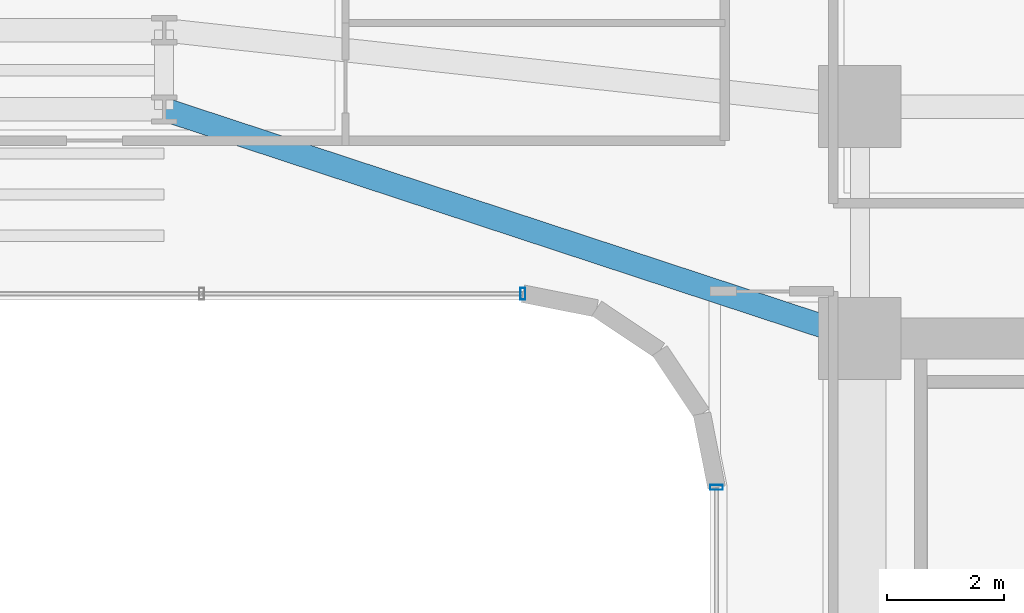
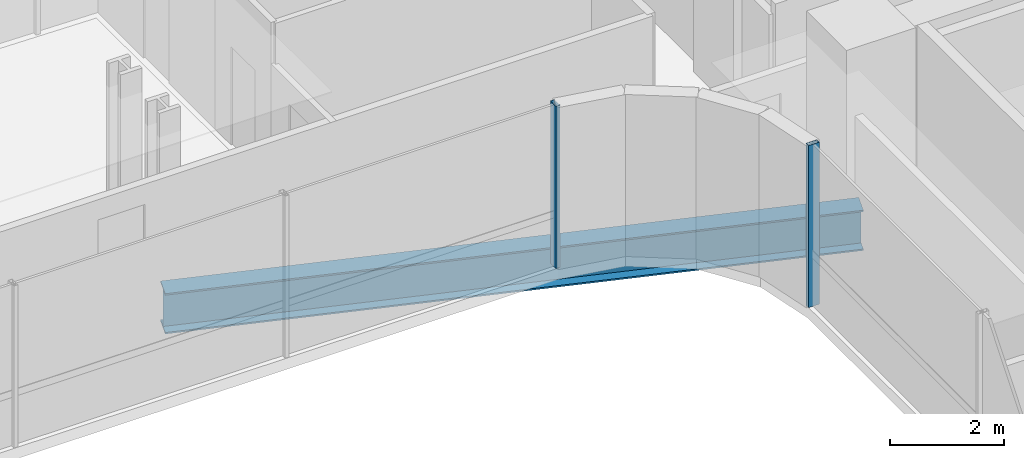
# One storey, part 15 of 40: 2 members, 1 beam, 2 elements without a shape of their own.
"""IFC4 building model written with IfcOpenShell, lengths in metres."""

from ifc_helpers import new_model, si_unit, direction, frame, origin, origin_2d, place, context, subcontext, project, spatial, hollow_rectangle, i_section, extrude, source, transform, mapped, material, material_profile, profile_set, type_object, element, aggregate, save


model = new_model("IFC4")

# Units and contexts
model_context = context("Model", 3, precision=1e-05, world=origin(), true_north=direction((0.0, 1.0)))
body_context = subcontext(model_context, "Body", "Model", "MODEL_VIEW")
ifc_project = project(units=[si_unit("LENGTHUNIT", "METRE"), si_unit("AREAUNIT", "SQUARE_METRE"), si_unit("VOLUMEUNIT", "CUBIC_METRE"), si_unit("PLANEANGLEUNIT", "RADIAN"), si_unit("MASSUNIT", "GRAM", prefix="KILO")], contexts=[model_context])

# Site, building, storey
site_placement = place(None, origin())
site = spatial("IfcSite", under=ifc_project, at=site_placement, CompositionType="ELEMENT")
building_placement = place(site_placement, origin())
building = spatial("IfcBuilding", under=site, at=building_placement, Name="Valdorenza Pilgrim Sanctuary Tower", CompositionType="ELEMENT")
storey_placement = place(building_placement, frame((0.0, 0.0, 44.5)))
storey = spatial("IfcBuildingStorey", under=building, at=storey_placement, Name="L10", CompositionType="ELEMENT", Elevation=44.5)

# Beam
ifc_material_1 = material(Name="Steel ASTM A992 Grade 50", Category="steel")
ifc_material_profile_1 = material_profile(ifc_material_1, i_section(OverallWidth=0.39990234375, OverallDepth=0.862060546875, WebThickness=0.019775390625, FlangeThickness=0.032470703125, at=origin_2d()), Name="W33X221")
ifc_profile_set_1 = profile_set([ifc_material_profile_1], Name="Steel ASTM A992 Grade 50")
beam_type = type_object("IfcBeamType", Name="STR-BM-GRD-W33", PredefinedType="BEAM", material=ifc_profile_set_1)
shared_shape_1 = source(origin(), body_context, "Body", "SweptSolid", [
    extrude(i_section(OverallWidth=0.39990234375, OverallDepth=0.862060546875, WebThickness=0.019775390625, FlangeThickness=0.032470703125, at=origin_2d()), origin(), (0.0, 0.0, 1.0), 12.475341796875),
])
beam_placement = place(storey_placement, frame((4.0, 13.449951171875, -0.6708984375), z_axis=(0.949881908141, -0.312608957943, 0.0), x_axis=(0.312608957943, 0.949881908141, 0.0)))
element("IfcBeam", 1, at=beam_placement, inside=storey, type_object=beam_type, Name="L10 Floor Girder KNK-G3", PredefinedType="BEAM", context=body_context, shape_type="MappedRepresentation", body=[
    mapped(shared_shape_1, transform((0.0, 0.0, 0.0), x_axis=(1.0, 0.0, 0.0), y_axis=(0.0, 1.0, 0.0), z_axis=(0.0, 0.0, 1.0), scale=1.0)),
])

# Curtain wall, member
ifc_material_2 = material(Name="Curtain-wall IGU glazing", Category="glass")
curtain_wall_type_1 = type_object("IfcCurtainWallType", Name="CW-SYS-02", PredefinedType="NOTDEFINED", material=ifc_material_2)
curtain_wall_1_placement = place(storey_placement, origin())
curtain_wall_1 = element("IfcCurtainWall", 2, at=curtain_wall_1_placement, inside=storey, type_object=curtain_wall_type_1, Name="L10 Curtain Wall CW-L10-1-36", PredefinedType="NOTDEFINED")
ifc_material_3 = material(Name="Anodised aluminium AW-6060", Category="aluminium")
ifc_material_profile_2 = material_profile(ifc_material_3, hollow_rectangle(XDim=0.0849609375, YDim=0.199951171875, WallThickness=0.0048828125, at=origin_2d()), Name="ALU-M 200x85x5")
ifc_profile_set_2 = profile_set([ifc_material_profile_2], Name="Anodised aluminium AW-6060")
member_type_1 = type_object("IfcMemberType", Name="CW-MUL-02", PredefinedType="MULLION", material=ifc_profile_set_2)
shared_shape_2 = source(origin(), body_context, "Body", "SweptSolid", [
    extrude(hollow_rectangle(XDim=0.0849609375, YDim=0.199951171875, WallThickness=0.0048828125, at=origin_2d()), origin(), (0.0, 0.0, 1.0), 3.4599609375),
])
member_1_placement = place(storey_placement, frame((10.11083984375, 10.31005859375, 0.0), z_axis=(0.0, 0.0, 1.0), x_axis=(-1.0, 0.0, 0.0)))
member_1 = element("IfcMember", 3, at=member_1_placement, type_object=member_type_1, Name="CW-L10-1-36 Mullion 1", PredefinedType="MULLION", context=body_context, shape_type="MappedRepresentation", body=[
    mapped(shared_shape_2, transform((0.0, 0.0, 0.0), x_axis=(1.0, 0.0, 0.0), y_axis=(0.0, 1.0, 0.0), z_axis=(0.0, 0.0, 1.0), scale=1.0)),
])
aggregate(curtain_wall_1, [member_1])

curtain_wall_type_2 = type_object("IfcCurtainWallType", Name="CW-SYS-03", PredefinedType="NOTDEFINED", material=ifc_material_2)
curtain_wall_2_placement = place(storey_placement, origin())
curtain_wall_2 = element("IfcCurtainWall", 4, at=curtain_wall_2_placement, inside=storey, type_object=curtain_wall_type_2, Name="L10 Curtain Wall CW-L10-1-31", PredefinedType="NOTDEFINED")
ifc_material_profile_3 = material_profile(ifc_material_3, hollow_rectangle(XDim=0.0849609375, YDim=0.219970703125, WallThickness=0.0048828125, at=origin_2d()), Name="ALU-M 220x85x5")
ifc_profile_set_3 = profile_set([ifc_material_profile_3], Name="Anodised aluminium AW-6060")
member_type_2 = type_object("IfcMemberType", Name="CW-MUL-03", PredefinedType="MULLION", material=ifc_profile_set_3)
shared_shape_3 = source(origin(), body_context, "Body", "SweptSolid", [
    extrude(hollow_rectangle(XDim=0.0849609375, YDim=0.219970703125, WallThickness=0.0048828125, at=origin_2d()), origin(), (0.0, 0.0, 1.0), 3.4599609375),
])
member_2_placement = place(storey_placement, frame((13.409912109375, 7.0107421875, 0.0), z_axis=(0.0, 0.0, 1.0), x_axis=(0.0, 1.0, 0.0)))
member_2 = element("IfcMember", 5, at=member_2_placement, type_object=member_type_2, Name="CW-L10-1-31 Mullion 4", PredefinedType="MULLION", context=body_context, shape_type="MappedRepresentation", body=[
    mapped(shared_shape_3, transform((0.0, 0.0, 0.0), x_axis=(1.0, 0.0, 0.0), y_axis=(0.0, 1.0, 0.0), z_axis=(0.0, 0.0, 1.0), scale=1.0)),
])
aggregate(curtain_wall_2, [member_2])

save(model, "model.ifc")
